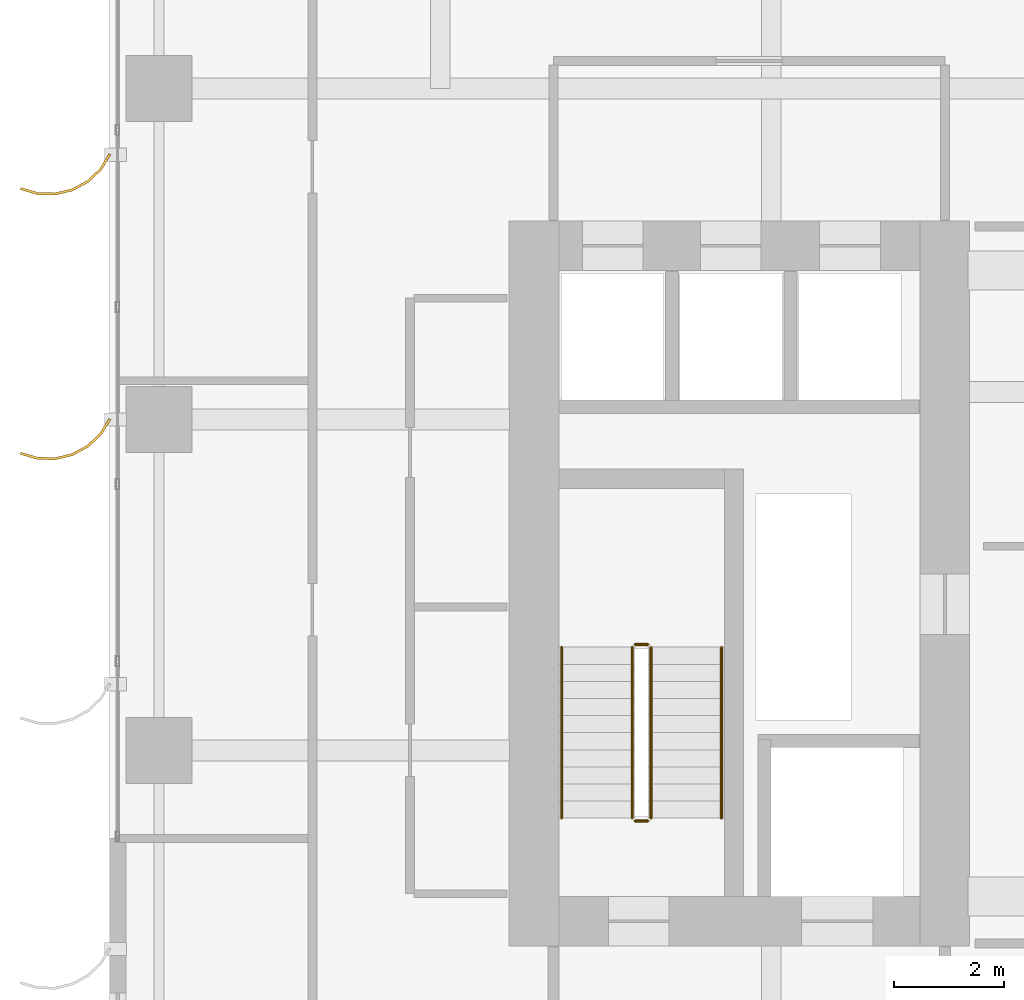
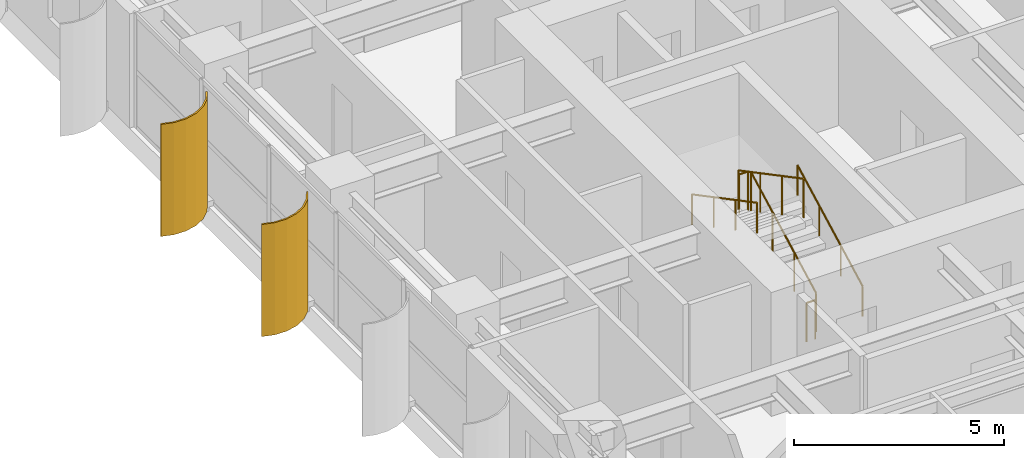
# One storey, part 19 of 21: 6 railings, 2 shading devices.
"""IFC4 building model written with IfcOpenShell, lengths in metres."""

from ifc_helpers import new_model, si_unit, direction, frame, origin, origin_2d, place, context, subcontext, project, spatial, polyline, circle, outline, extrude, source, transform, mapped, material, layer, layer_set, type_object, element, save


model = new_model("IFC4")

# Units and contexts
model_context = context("Model", 3, precision=1e-05, world=origin(), true_north=direction((0.0, 1.0)))
body_context = subcontext(model_context, "Body", "Model", "MODEL_VIEW")
ifc_project = project(units=[si_unit("LENGTHUNIT", "METRE"), si_unit("AREAUNIT", "SQUARE_METRE"), si_unit("VOLUMEUNIT", "CUBIC_METRE"), si_unit("PLANEANGLEUNIT", "RADIAN"), si_unit("MASSUNIT", "GRAM", prefix="KILO")], contexts=[model_context])

# Site, building, storey
site_placement = place(None, origin())
site = spatial("IfcSite", under=ifc_project, at=site_placement, CompositionType="ELEMENT")
building_placement = place(site_placement, origin())
building = spatial("IfcBuilding", under=site, at=building_placement, Name="Khoralis Quay Care Tower", CompositionType="ELEMENT")
storey_placement = place(building_placement, frame((0.0, 0.0, 22.5)))
storey = spatial("IfcBuildingStorey", under=building, at=storey_placement, Name="L05", CompositionType="ELEMENT", Elevation=22.5)

# Railings
ifc_material_1 = material(Name="Brushed stainless steel", Category="steel")
railing_type_1 = type_object("IfcRailingType", Name="RL-GUARD-1150", PredefinedType="GUARDRAIL", material=ifc_material_1)
railing_1_placement = place(storey_placement, frame((9.820068359375, 16.77001953125, 0.16357421875)))
element("IfcRailing", 1, at=railing_1_placement, inside=storey, type_object=railing_type_1, Name="L05 ST-T1 stair guard 1", PredefinedType="GUARDRAIL", context=body_context, shape_type="SweptSolid", body=[
    extrude(circle(Radius=0.02392578125, at=origin_2d()), frame((0.0, 0.0, 1.1259765625), z_axis=(0.0, 0.884348015382, 0.466828220752), x_axis=(-1.0, 0.0, 0.0)), (0.0, 0.0, 1.0), 3.505615234375),
    extrude(circle(Radius=0.02099609375, at=origin_2d()), origin(), (0.0, 0.0, 1.0), 1.101806640625),
    extrude(circle(Radius=0.02099609375, at=origin_2d()), frame((0.0, 1.033447265625, 0.54541015625)), (0.0, 0.0, 1.0), 1.101806640625),
    extrude(circle(Radius=0.02099609375, at=origin_2d()), frame((0.0, 2.066650390625, 1.091064453125)), (0.0, 0.0, 1.0), 1.101806640625),
    extrude(circle(Radius=0.02099609375, at=origin_2d()), frame((0.0, 3.10009765625, 1.636474609375)), (0.0, 0.0, 1.0), 1.101806640625),
])
railing_2_placement = place(storey_placement, frame((9.77001953125, 19.919921875, 1.800048828125)))
element("IfcRailing", 2, at=railing_2_placement, inside=storey, type_object=railing_type_1, Name="L05 ST-T1 stair guard 2", PredefinedType="GUARDRAIL", context=body_context, shape_type="SweptSolid", body=[
    extrude(circle(Radius=0.02392578125, at=origin_2d()), frame((0.0, 0.0, 1.1259765625), z_axis=(-1.0, 0.0, 0.0), x_axis=(0.0, -1.0, 0.0)), (0.0, 0.0, 1.0), 0.239990234375),
    extrude(circle(Radius=0.02099609375, at=origin_2d()), origin(), (0.0, 0.0, 1.0), 1.101806640625),
    extrude(circle(Radius=0.02099609375, at=origin_2d()), frame((-0.239990234375, 0.0, 0.0)), (0.0, 0.0, 1.0), 1.101806640625),
])
railing_3_placement = place(storey_placement, frame((9.47998046875, 19.8701171875, 1.963623046875)))
element("IfcRailing", 3, at=railing_3_placement, inside=storey, type_object=railing_type_1, Name="L05 ST-T1 stair guard 3", PredefinedType="GUARDRAIL", context=body_context, shape_type="SweptSolid", body=[
    extrude(circle(Radius=0.02392578125, at=origin_2d()), frame((0.0, 0.0, 1.1259765625), z_axis=(0.0, -0.884348015382, 0.466828220752), x_axis=(1.0, 0.0, 0.0)), (0.0, 0.0, 1.0), 3.505615234375),
    extrude(circle(Radius=0.02099609375, at=origin_2d()), origin(), (0.0, 0.0, 1.0), 1.101806640625),
    extrude(circle(Radius=0.02099609375, at=origin_2d()), frame((0.0, -1.033447265625, 0.54541015625)), (0.0, 0.0, 1.0), 1.101806640625),
    extrude(circle(Radius=0.02099609375, at=origin_2d()), frame((0.0, -2.066650390625, 1.091064453125)), (0.0, 0.0, 1.0), 1.101806640625),
    extrude(circle(Radius=0.02099609375, at=origin_2d()), frame((0.0, -3.10009765625, 1.636474609375)), (0.0, 0.0, 1.0), 1.101806640625),
])
railing_4_placement = place(storey_placement, frame((9.77001953125, 16.719970703125, 0.0)))
element("IfcRailing", 4, at=railing_4_placement, inside=storey, type_object=railing_type_1, Name="L05 ST-T1 stair guard 4", PredefinedType="GUARDRAIL", context=body_context, shape_type="SweptSolid", body=[
    extrude(circle(Radius=0.02392578125, at=origin_2d()), frame((0.0, 0.0, 1.1259765625), z_axis=(-1.0, 0.0, 0.0), x_axis=(0.0, -1.0, 0.0)), (0.0, 0.0, 1.0), 0.239990234375),
    extrude(circle(Radius=0.02099609375, at=origin_2d()), origin(), (0.0, 0.0, 1.0), 1.101806640625),
    extrude(circle(Radius=0.02099609375, at=origin_2d()), frame((-0.239990234375, 0.0, 0.0)), (0.0, 0.0, 1.0), 1.101806640625),
])
railing_type_2 = type_object("IfcRailingType", Name="RL-HAND-900", PredefinedType="HANDRAIL", material=ifc_material_1)
railing_5_placement = place(storey_placement, frame((11.10009765625, 16.77001953125, 0.16357421875)))
element("IfcRailing", 5, at=railing_5_placement, inside=storey, type_object=railing_type_2, Name="L05 ST-T1 stair handrail 1", PredefinedType="HANDRAIL", context=body_context, shape_type="SweptSolid", body=[
    extrude(circle(Radius=0.02392578125, at=origin_2d()), frame((0.0, 0.0, 0.8759765625), z_axis=(0.0, 0.884348015382, 0.466828220752), x_axis=(-1.0, 0.0, 0.0)), (0.0, 0.0, 1.0), 3.505615234375),
    extrude(circle(Radius=0.02099609375, at=origin_2d()), origin(), (0.0, 0.0, 1.0), 0.851806640625),
    extrude(circle(Radius=0.02099609375, at=origin_2d()), frame((0.0, 1.033447265625, 0.54541015625)), (0.0, 0.0, 1.0), 0.851806640625),
    extrude(circle(Radius=0.02099609375, at=origin_2d()), frame((0.0, 2.066650390625, 1.091064453125)), (0.0, 0.0, 1.0), 0.851806640625),
    extrude(circle(Radius=0.02099609375, at=origin_2d()), frame((0.0, 3.10009765625, 1.636474609375)), (0.0, 0.0, 1.0), 0.851806640625),
])
railing_6_placement = place(storey_placement, frame((8.199951171875, 19.8701171875, 1.963623046875)))
element("IfcRailing", 6, at=railing_6_placement, inside=storey, type_object=railing_type_2, Name="L05 ST-T1 stair handrail 2", PredefinedType="HANDRAIL", context=body_context, shape_type="SweptSolid", body=[
    extrude(circle(Radius=0.02392578125, at=origin_2d()), frame((0.0, 0.0, 0.8759765625), z_axis=(0.0, -0.884348015382, 0.466828220752), x_axis=(1.0, 0.0, 0.0)), (0.0, 0.0, 1.0), 3.505615234375),
    extrude(circle(Radius=0.02099609375, at=origin_2d()), origin(), (0.0, 0.0, 1.0), 0.851806640625),
    extrude(circle(Radius=0.02099609375, at=origin_2d()), frame((0.0, -1.033447265625, 0.54541015625)), (0.0, 0.0, 1.0), 0.851806640625),
    extrude(circle(Radius=0.02099609375, at=origin_2d()), frame((0.0, -2.066650390625, 1.091064453125)), (0.0, 0.0, 1.0), 0.851806640625),
    extrude(circle(Radius=0.02099609375, at=origin_2d()), frame((0.0, -3.10009765625, 1.636474609375)), (0.0, 0.0, 1.0), 0.851806640625),
])

# Shading devices
ifc_material_2 = material(Name="Brushed pale anodised aluminium", Category="aluminium")
ifc_layer = layer(ifc_material_2, 0.044921875)
ifc_layer_set = layer_set([ifc_layer], Name="Brushed pale anodised aluminium")
shading_device_type = type_object("IfcShadingDeviceType", Name="SHD-FIN-1250", PredefinedType="USERDEFINED", material=ifc_layer_set)
shared_shape = source(origin(), body_context, "Body", "SweptSolid", [
    extrude(outline(polyline([(0.0, 0.0), (0.17041015625, 0.2783203125), (0.4072265625, 0.5029296875), (0.694091796875, 0.658447265625), (1.01123046875, 0.734619140625), (1.33740234375, 0.72607421875), (1.650390625, 0.633544921875), (1.632080078125, 0.59228515625), (1.330322265625, 0.681640625), (1.015869140625, 0.68994140625), (0.710205078125, 0.616455078125), (0.43359375, 0.466552734375), (0.20556640625, 0.25), (0.041015625, -0.018310546875), (0.0, 0.0)])), origin(), (0.0, 0.0, 1.0), 3.260009765625),
])
for number, where, z_axis, x_axis, name in (
    (7, (0.030029296875, 28.800048828125, 0.02001953125), (0.0, 0.0, 1.0), (-1.0, 0.0, 0.0), "L05 Curved Solar Fin P1E15-03"),
    (8, (0.030029296875, 24.0, 0.02001953125), (0.0, 0.0, 1.0), (-1.0, 0.0, 0.0), "L05 Curved Solar Fin P1E15-04"),
):
    element("IfcShadingDevice", number, at=place(storey_placement, frame(where, z_axis=z_axis, x_axis=x_axis)), inside=storey, type_object=shading_device_type, Name=name, ObjectType="FIN", PredefinedType="USERDEFINED", context=body_context, shape_type="MappedRepresentation", body=[
        mapped(shared_shape, transform((0.0, 0.0, 0.0), scale=1.0)),
    ])

save(model, "model.ifc")
